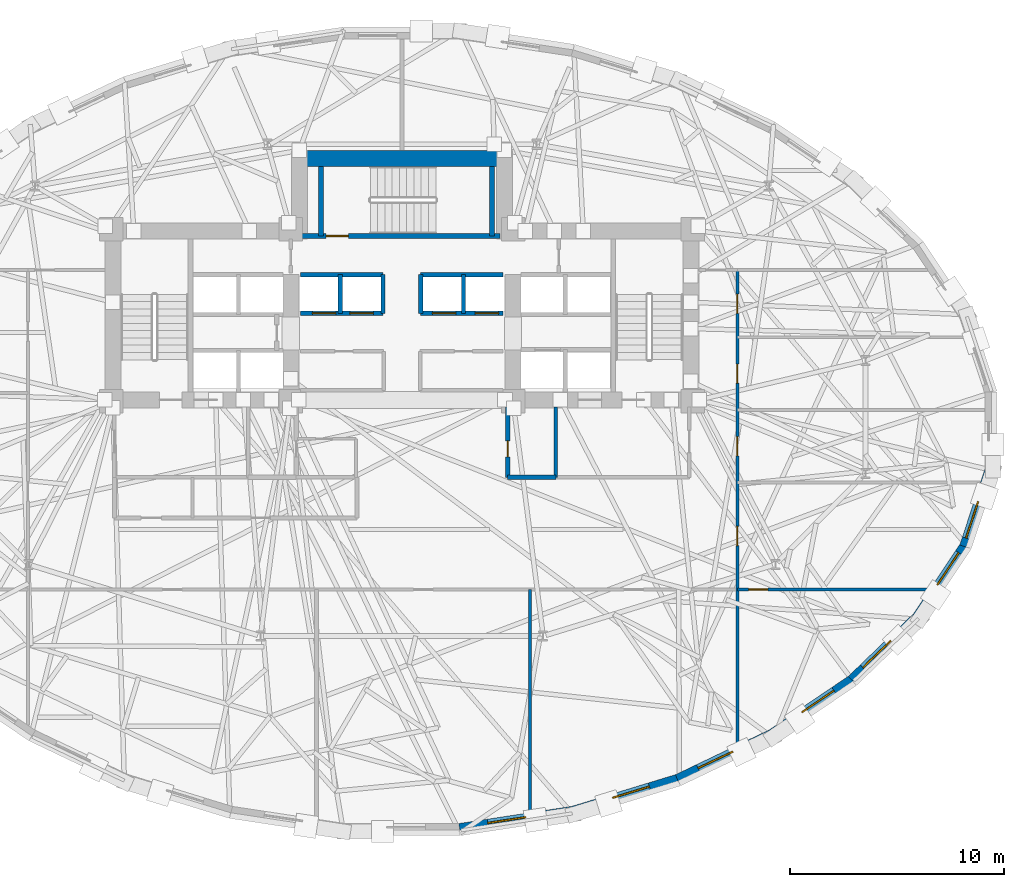
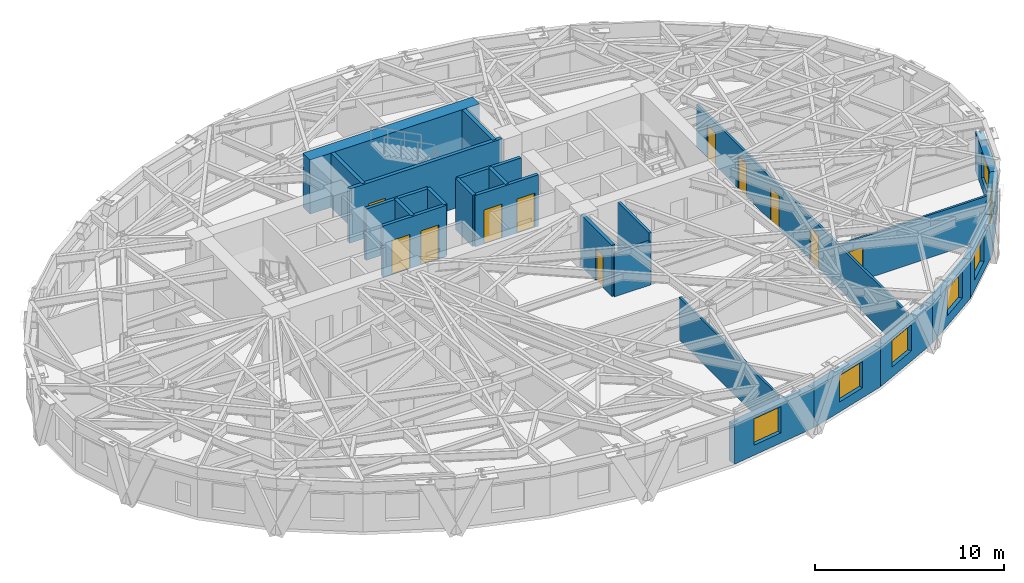
# One storey, part 8 of 14: 25 walls, 11 doors, 7 windows, 18 openings.
"""IFC4 building model written with IfcOpenShell, lengths in metres."""

import ifcopenshell
import ifcopenshell.guid

model = None  # the IFC model being written
_history = None  # IfcOwnerHistory: only IFC2X3 demands one
_inside = {}  # id of a spatial element -> (the spatial element, [elements in it])
_under = {}  # id of a project, library or spatial element -> (it, [spatial elements below it])
_declared = {}  # id of a project -> (the project, [libraries it declares])
_typed = {}  # id of a type object -> (the type object, [elements of that type])
_made_of = {}  # id of a material, layer set ... -> (it, [elements and type objects made of it])


def new_model(schema):
    """Start an empty IFC model of exactly this schema.

    Asked for "IFC4X3", IfcOpenShell would pick the latest addendum, in which some entities
    have other attributes; the version numbers below select the first issue.
    IFC2X3 requires an IfcOwnerHistory on every rooted entity: one is made here for all.
    """
    global model, _history
    if schema == "IFC4X3":
        model = ifcopenshell.file(schema_version=(4, 3, 0, 0))
    else:
        model = ifcopenshell.file(schema=schema)
    _inside.clear()
    _under.clear()
    _declared.clear()
    _typed.clear()
    _made_of.clear()
    _history = None
    if model.schema == "IFC2X3":
        org = make("IfcOrganization", Name="unknown")
        user = make(
            "IfcPersonAndOrganization",
            ThePerson=make("IfcPerson", FamilyName="unknown"),
            TheOrganization=org,
        )
        app = make(
            "IfcApplication",
            ApplicationDeveloper=org,
            Version="unknown",
            ApplicationFullName="unknown",
            ApplicationIdentifier="unknown",
        )
        _history = make(
            "IfcOwnerHistory",
            OwningUser=user,
            OwningApplication=app,
            ChangeAction="ADDED",
            CreationDate=0,
        )
    return model


def make(cls, **values):
    """One entity of the class cls with the attributes given. An attribute that is None is left unset."""
    return model.create_entity(
        cls, **{name: value for name, value in values.items() if value is not None}
    )


def rooted(cls, **values):
    """An entity with a GlobalId (a new one), such as an element, a storey or a relation."""
    return make(cls, GlobalId=ifcopenshell.guid.new(), OwnerHistory=_history, **values)


def si_unit(unit_type, name, prefix=None):
    """IfcSIUnit, for example si_unit("LENGTHUNIT", "METRE", prefix="MILLI")."""
    return make("IfcSIUnit", UnitType=unit_type, Prefix=prefix, Name=name)


def assignment(units):
    """IfcUnitAssignment: the units of a project."""
    return None if units is None else make("IfcUnitAssignment", Units=units)


def point(xyz):
    """IfcCartesianPoint."""
    return None if xyz is None else make("IfcCartesianPoint", Coordinates=xyz)


def direction(xyz):
    """IfcDirection."""
    return None if xyz is None else make("IfcDirection", DirectionRatios=xyz)


def frame(location, z_axis=None, x_axis=None):
    """IfcAxis2Placement3D, a coordinate frame: its origin and axes. An axis left out is left unset."""
    return make(
        "IfcAxis2Placement3D",
        Location=point(location),
        Axis=direction(z_axis),
        RefDirection=direction(x_axis),
    )


def frame_2d(location, x_axis=None):
    """IfcAxis2Placement2D, a coordinate frame in the plane: its origin and x axis."""
    return make(
        "IfcAxis2Placement2D", Location=point(location), RefDirection=direction(x_axis)
    )


def origin():
    """The frame at (0, 0, 0) with its axes left unset."""
    return frame((0.0, 0.0, 0.0))


def place(relative_to, where):
    """IfcLocalPlacement: puts the frame where relative to a parent placement (None: the world)."""
    return make(
        "IfcLocalPlacement", PlacementRelTo=relative_to, RelativePlacement=where
    )


def context(
    kind, dimensions, precision=None, world=None, true_north=None, identifier=None
):
    """IfcGeometricRepresentationContext, for example the 3D "Model" context."""
    return make(
        "IfcGeometricRepresentationContext",
        ContextIdentifier=identifier,
        ContextType=kind,
        CoordinateSpaceDimension=dimensions,
        Precision=precision,
        WorldCoordinateSystem=world,
        TrueNorth=true_north,
    )


def subcontext(parent, identifier, kind, view, scale=None):
    """IfcGeometricRepresentationSubContext, for example "Body" below "Model"."""
    return make(
        "IfcGeometricRepresentationSubContext",
        ContextIdentifier=identifier,
        ContextType=kind,
        ParentContext=parent,
        TargetScale=scale,
        TargetView=view,
    )


def project(units=None, contexts=None):
    """IfcProject with its units and contexts."""
    return rooted(
        "IfcProject",
        Name="project",
        RepresentationContexts=contexts,
        UnitsInContext=assignment(units),
    )


def spatial(cls, under=None, at=None, **own):
    """A site, building, storey or space (cls), placed at a placement, below another one or the project."""
    s = rooted(cls, ObjectPlacement=at, **own)
    if under is not None:
        _under.setdefault(under.id(), (under, []))[1].append(s)
    return s


def profile(cls, at=None, kind="AREA", **sizes):
    """A parametric profile (cls). Its sizes go by their IFC names, for example OverallWidth=200.0."""
    return make(cls, ProfileType=kind, Position=at, **sizes)


def rectangle(**sizes):
    """IfcRectangleProfileDef."""
    return profile("IfcRectangleProfileDef", **sizes)


def extrude(swept, where, along, depth):
    """IfcExtrudedAreaSolid: the profile swept, set in the frame where, extruded along a direction by depth."""
    return make(
        "IfcExtrudedAreaSolid",
        SweptArea=swept,
        Position=where,
        ExtrudedDirection=direction(along),
        Depth=depth,
    )


def shape(context_of_items, identifier, shape_type, items):
    """IfcShapeRepresentation: the items that make up one representation, for example the "Body"."""
    return make(
        "IfcShapeRepresentation",
        ContextOfItems=context_of_items,
        RepresentationIdentifier=identifier,
        RepresentationType=shape_type,
        Items=items,
    )


def material(Name=None, Category=None):
    """IfcMaterial."""
    return make("IfcMaterial", Name=Name, Category=Category)


def layer(
    of_material, thickness, ventilated=None, Name=None, Category=None, Priority=None
):
    """IfcMaterialLayer: one layer of a wall or slab, of a material (None: an air gap)."""
    return make(
        "IfcMaterialLayer",
        Material=of_material,
        LayerThickness=thickness,
        IsVentilated=ventilated,
        Name=Name,
        Category=Category,
        Priority=Priority,
    )


def layer_set(layers, Name=None):
    """IfcMaterialLayerSet."""
    return make("IfcMaterialLayerSet", MaterialLayers=layers, LayerSetName=Name)


def made_of(thing, what):
    """Note that an element or type object is made of a material, layer set ...; save() writes the relation."""
    if what is not None:
        _made_of.setdefault(what.id(), (what, []))[1].append(thing)
    return thing


def type_object(cls, material=None, **own):
    """A type object (cls), such as IfcWallType, which elements share."""
    return made_of(rooted(cls, **own), material)


def element(
    cls,
    number,
    at=None,
    inside=None,
    cuts=None,
    type_object=None,
    material=None,
    context=None,
    identifier="Body",
    shape_type=None,
    held_by="IfcProductDefinitionShape",
    body=None,
    shapes=None,
    **own,
):
    """One element of the class cls, such as IfcWall. Its Tag is "e" and its number.

    at: its placement. inside: the storey or other place that contains it. cuts: it is an
    opening in that element (IfcRelVoidsElement). A single representation is given by context,
    identifier, shape_type and body (its items); several are given by shapes. held_by: the class
    of the entity that holds the representations. save() writes the other relations.
    """
    e = rooted(cls, Tag="e%d" % number, ObjectPlacement=at, **own)
    if body is not None:
        shapes = [shape(context, identifier, shape_type, body)]
    if shapes is not None:
        e.Representation = make(held_by, Representations=shapes)
    if inside is not None:
        _inside.setdefault(inside.id(), (inside, []))[1].append(e)
    if cuts is not None:
        rooted(
            "IfcRelVoidsElement", RelatingBuildingElement=cuts, RelatedOpeningElement=e
        )
    if type_object is not None:
        _typed.setdefault(type_object.id(), (type_object, []))[1].append(e)
    return made_of(e, material)


def fill(opening, filler):
    """IfcRelFillsElement: the door or window that sits in an opening."""
    return rooted(
        "IfcRelFillsElement",
        RelatingOpeningElement=opening,
        RelatedBuildingElement=filler,
    )


def aggregate(whole, parts):
    """IfcRelAggregates: a whole, such as a stair, and the parts it consists of."""
    return rooted("IfcRelAggregates", RelatingObject=whole, RelatedObjects=parts)


def save(model, path):
    """Write the relations noted so far, then the file.

    IfcRelAggregates (storeys below a building ...), IfcRelContainedInSpatialStructure (elements
    in a storey), IfcRelDefinesByType, IfcRelAssociatesMaterial and IfcRelDeclares: one each for
    every whole, place, type object, material and project.
    """
    for whole, parts in _under.values():
        aggregate(whole, parts)
    for where, things in _inside.values():
        rooted(
            "IfcRelContainedInSpatialStructure",
            RelatedElements=things,
            RelatingStructure=where,
        )
    for kind, things in _typed.values():
        rooted("IfcRelDefinesByType", RelatedObjects=things, RelatingType=kind)
    for what, things in _made_of.values():
        rooted("IfcRelAssociatesMaterial", RelatedObjects=things, RelatingMaterial=what)
    for by, libraries in _declared.values():
        rooted("IfcRelDeclares", RelatingContext=by, RelatedDefinitions=libraries)
    model.write(path)


model = new_model("IFC4")

# Units and contexts
model_context = context("Model", 3, precision=1e-05, world=origin(), true_north=direction((0.0, 1.0)))
body_context = subcontext(model_context, "Body", "Model", "MODEL_VIEW")
ifc_project = project(units=[si_unit("LENGTHUNIT", "METRE"), si_unit("AREAUNIT", "SQUARE_METRE"), si_unit("VOLUMEUNIT", "CUBIC_METRE"), si_unit("PLANEANGLEUNIT", "RADIAN"), si_unit("MASSUNIT", "GRAM", prefix="KILO")], contexts=[model_context])

# Site, building, storey
site_placement = place(None, origin())
site = spatial("IfcSite", under=ifc_project, at=site_placement, CompositionType="ELEMENT")
building_placement = place(site_placement, origin())
building = spatial("IfcBuilding", under=site, at=building_placement, Name="Keldmark Tower", CompositionType="ELEMENT")
storey_placement = place(building_placement, frame((0.0, 0.0, 103.60009765625)))
storey = spatial("IfcBuildingStorey", under=building, at=storey_placement, Name="L27", CompositionType="ELEMENT", Elevation=103.60009765625)

# Wall, openings, doors
ifc_material_1 = material(Name="Acoustic Double-Layer Gypsum Corridor Partition", Category="gypsum")
ifc_layer_1 = layer(ifc_material_1, 0.139892578125)
ifc_layer_set_1 = layer_set([ifc_layer_1], Name="Acoustic Double-Layer Gypsum Corridor Partition")
wall_type_1 = type_object("IfcWallType", Name="Acoustic Corridor Partition 140 mm", PredefinedType="PARTITIONING", material=ifc_layer_set_1)
wall_1_placement = place(storey_placement, frame((15.699951171875, -14.6748046875, 0.0), z_axis=(0.0, 0.0, 1.0), x_axis=(0.0, 1.0, 0.0)))
wall_1 = element("IfcWall", 1, at=wall_1_placement, inside=storey, type_object=wall_type_1, Name="L27 Acoustic Corridor Partition 140 mm COR-E", PredefinedType="PARTITIONING", context=body_context, shape_type="SweptSolid", body=[
    extrude(rectangle(XDim=22.224853515625, YDim=0.139892578125, at=frame_2d((11.1123046875, 0.0))), origin(), (0.0, 0.0, 1.0), 2.762939453125),
])
opening_1_placement = place(wall_1_placement, frame((9.325439453125, 0.0, 0.0)))
opening_1 = element("IfcOpeningElement", 2, at=opening_1_placement, cuts=wall_1, Name="Opening D-IN090", PredefinedType="OPENING", context=body_context, shape_type="SweptSolid", body=[
    extrude(rectangle(XDim=0.89990234375, YDim=2.10009765625, at=frame_2d((0.449951171875, 1.050048828125))), frame((0.0, 0.079833984375, 0.0), z_axis=(0.0, -1.0, 0.0), x_axis=(1.0, 0.0, 0.0)), (0.0, 0.0, 1.0), 0.159912109375),
])
opening_2_placement = place(wall_1_placement, frame((13.525390625, 0.0, 0.0)))
opening_2 = element("IfcOpeningElement", 3, at=opening_2_placement, cuts=wall_1, Name="Opening D-IN090", PredefinedType="OPENING", context=body_context, shape_type="SweptSolid", body=[
    extrude(rectangle(XDim=0.89990234375, YDim=2.10009765625, at=frame_2d((0.449951171875, 1.050048828125))), frame((0.0, 0.079833984375, 0.0), z_axis=(0.0, -1.0, 0.0), x_axis=(1.0, 0.0, 0.0)), (0.0, 0.0, 1.0), 0.159912109375),
])
opening_3_placement = place(wall_1_placement, frame((16.92529296875, 0.0, 0.0)))
opening_3 = element("IfcOpeningElement", 4, at=opening_3_placement, cuts=wall_1, Name="Opening D-IN090", PredefinedType="OPENING", context=body_context, shape_type="SweptSolid", body=[
    extrude(rectangle(XDim=0.89990234375, YDim=2.10009765625, at=frame_2d((0.449951171875, 1.050048828125))), frame((0.0, 0.079833984375, 0.0), z_axis=(0.0, -1.0, 0.0), x_axis=(1.0, 0.0, 0.0)), (0.0, 0.0, 1.0), 0.159912109375),
])
opening_4_placement = place(wall_1_placement, frame((20.200439453125, 0.0, 0.0)))
opening_4 = element("IfcOpeningElement", 5, at=opening_4_placement, cuts=wall_1, Name="Opening D-IN090", PredefinedType="OPENING", context=body_context, shape_type="SweptSolid", body=[
    extrude(rectangle(XDim=0.89990234375, YDim=2.10009765625, at=frame_2d((0.449951171875, 1.050048828125))), frame((0.0, 0.079833984375, 0.0), z_axis=(0.0, -1.0, 0.0), x_axis=(1.0, 0.0, 0.0)), (0.0, 0.0, 1.0), 0.159912109375),
])
ifc_material_2 = material(Name="Stained American White Oak Veneer", Category="wood")
door_type_1 = type_object("IfcDoorType", Name="Interior Door 900x2100", OperationType="NOTDEFINED", PredefinedType="DOOR", material=ifc_material_2)
door_1_placement = place(opening_1_placement, origin())
door_1 = element("IfcDoor", 6, at=door_1_placement, inside=storey, type_object=door_type_1, Name="L27 Interior Door 900x2100 D-ER-1-L27", OperationType="SINGLE_SWING_RIGHT", OverallHeight=2.10009765625, OverallWidth=0.89990234375, PredefinedType="DOOR", context=body_context, shape_type="SweptSolid", body=[
    extrude(rectangle(XDim=0.89990234375, YDim=2.10009765625, at=frame_2d((0.449951171875, 1.050048828125))), frame((0.0, 0.02490234375, 0.0), z_axis=(0.0, -1.0, 0.0), x_axis=(1.0, 0.0, 0.0)), (0.0, 0.0, 1.0), 0.050048828125),
])
fill(opening_1, door_1)
door_2_placement = place(opening_2_placement, origin())
door_2 = element("IfcDoor", 7, at=door_2_placement, inside=storey, type_object=door_type_1, Name="L27 Interior Door 900x2100 D-ER-2-L27", OperationType="SINGLE_SWING_LEFT", OverallHeight=2.10009765625, OverallWidth=0.89990234375, PredefinedType="DOOR", context=body_context, shape_type="SweptSolid", body=[
    extrude(rectangle(XDim=0.89990234375, YDim=2.10009765625, at=frame_2d((0.449951171875, 1.050048828125))), frame((0.0, 0.02490234375, 0.0), z_axis=(0.0, -1.0, 0.0), x_axis=(1.0, 0.0, 0.0)), (0.0, 0.0, 1.0), 0.050048828125),
])
fill(opening_2, door_2)
door_3_placement = place(opening_3_placement, origin())
door_3 = element("IfcDoor", 8, at=door_3_placement, inside=storey, type_object=door_type_1, Name="L27 Interior Door 900x2100 D-ER-3-L27", OperationType="SINGLE_SWING_RIGHT", OverallHeight=2.10009765625, OverallWidth=0.89990234375, PredefinedType="DOOR", context=body_context, shape_type="SweptSolid", body=[
    extrude(rectangle(XDim=0.89990234375, YDim=2.10009765625, at=frame_2d((0.449951171875, 1.050048828125))), frame((0.0, 0.02490234375, 0.0), z_axis=(0.0, -1.0, 0.0), x_axis=(1.0, 0.0, 0.0)), (0.0, 0.0, 1.0), 0.050048828125),
])
fill(opening_3, door_3)
door_4_placement = place(opening_4_placement, origin())
door_4 = element("IfcDoor", 9, at=door_4_placement, inside=storey, type_object=door_type_1, Name="L27 Interior Door 900x2100 D-ER-4-L27", OperationType="SINGLE_SWING_LEFT", OverallHeight=2.10009765625, OverallWidth=0.89990234375, PredefinedType="DOOR", context=body_context, shape_type="SweptSolid", body=[
    extrude(rectangle(XDim=0.89990234375, YDim=2.10009765625, at=frame_2d((0.449951171875, 1.050048828125))), frame((0.0, 0.02490234375, 0.0), z_axis=(0.0, -1.0, 0.0), x_axis=(1.0, 0.0, 0.0)), (0.0, 0.0, 1.0), 0.050048828125),
])
fill(opening_4, door_4)

# Wall
ifc_material_3 = material(Name="Acoustic Gypsum Board Interior Partition", Category="gypsum")
ifc_layer_2 = layer(ifc_material_3, 0.1298828125)
ifc_layer_set_2 = layer_set([ifc_layer_2], Name="Acoustic Gypsum Board Interior Partition")
wall_type_2 = type_object("IfcWallType", Name="Interior Partition 130 mm", PredefinedType="PARTITIONING", material=ifc_layer_set_2)
wall_2_placement = place(storey_placement, frame((6.0, -17.837646484375, 0.0), z_axis=(0.0, 0.0, 1.0), x_axis=(0.0, 1.0, 0.0)))
element("IfcWall", 10, at=wall_2_placement, inside=storey, type_object=wall_type_2, Name="L27 Interior Partition 130 mm S-DIV-2", PredefinedType="PARTITIONING", context=body_context, shape_type="SweptSolid", body=[
    extrude(rectangle(XDim=10.437744140625, YDim=0.1298828125, at=frame_2d((5.21875, 0.0))), origin(), (0.0, 0.0, 1.0), 2.762939453125),
])

# Wall, opening, door
wall_3_placement = place(storey_placement, frame((15.699951171875, -7.39990234375, 0.0), z_axis=(0.0, 0.0, 1.0), x_axis=(1.0, 0.0, 0.0)))
wall_3 = element("IfcWall", 11, at=wall_3_placement, inside=storey, type_object=wall_type_2, Name="L27 Interior Partition 130 mm E-CAP-S", PredefinedType="PARTITIONING", context=body_context, shape_type="SweptSolid", body=[
    extrude(rectangle(XDim=8.98876953125, YDim=0.1298828125, at=frame_2d((4.494384765625, 0.0))), origin(), (0.0, 0.0, 1.0), 2.762939453125),
])
opening_5_placement = place(wall_3_placement, frame((0.530029296875, 0.0, 0.0)))
opening_5 = element("IfcOpeningElement", 12, at=opening_5_placement, cuts=wall_3, Name="Opening D-IN090", PredefinedType="OPENING", context=body_context, shape_type="SweptSolid", body=[
    extrude(rectangle(XDim=0.89990234375, YDim=2.10009765625, at=frame_2d((0.449951171875, 1.050048828125))), frame((0.0, 0.074951171875, 0.0), z_axis=(0.0, -1.0, 0.0), x_axis=(1.0, 0.0, 0.0)), (0.0, 0.0, 1.0), 0.14990234375),
])
door_5_placement = place(opening_5_placement, origin())
door_5 = element("IfcDoor", 13, at=door_5_placement, inside=storey, type_object=door_type_1, Name="L27 Interior Door 900x2100 D-ERSE-L27", OperationType="SINGLE_SWING_LEFT", OverallHeight=2.10009765625, OverallWidth=0.89990234375, PredefinedType="DOOR", context=body_context, shape_type="SweptSolid", body=[
    extrude(rectangle(XDim=0.89990234375, YDim=2.10009765625, at=frame_2d((0.449951171875, 1.050048828125))), frame((0.0, 0.02490234375, 0.0), z_axis=(0.0, -1.0, 0.0), x_axis=(1.0, 0.0, 0.0)), (0.0, 0.0, 1.0), 0.050048828125),
])
fill(opening_5, door_5)

# Walls
ifc_material_4 = material(Name="Concrete C70/85", Category="concrete")
ifc_layer_3 = layer(ifc_material_4, 0.75)
ifc_layer_set_3 = layer_set([ifc_layer_3], Name="Concrete C70/85")
wall_type_3 = type_object("IfcWallType", Name="Low-Mid Core Shear Wall 750 mm", PredefinedType="SHEAR", material=ifc_layer_set_3)
wall_4_placement = place(storey_placement, frame((-5.175048828125, 12.77490234375, 0.0), z_axis=(0.0, 0.0, 1.0), x_axis=(1.0, 0.0, 0.0)))
element("IfcWall", 14, at=wall_4_placement, inside=storey, type_object=wall_type_3, Name="L27 North Core Shear Wall", PredefinedType="SHEAR", context=body_context, shape_type="SweptSolid", body=[
    extrude(rectangle(XDim=10.35009765625, YDim=0.75, at=frame_2d((5.175048828125, 0.0))), origin(), (0.0, 0.0, 1.0), 3.5),
])
ifc_material_5 = material(Name="Type X Fire-Rated Gypsum Partition Assembly", Category="gypsum")
ifc_layer_4 = layer(ifc_material_5, 0.1650390625)
ifc_layer_set_4 = layer_set([ifc_layer_4], Name="Type X Fire-Rated Gypsum Partition Assembly")
wall_type_4 = type_object("IfcWallType", Name="Rated Partition 165 mm", PredefinedType="PARTITIONING", material=ifc_layer_set_4)
wall_5_placement = place(storey_placement, frame((7.199951171875, -2.14990234375, 0.0), z_axis=(0.0, 0.0, 1.0), x_axis=(0.0, 1.0, 0.0)))
element("IfcWall", 15, at=wall_5_placement, inside=storey, type_object=wall_type_4, Name="L27 Rated Partition 165 mm FSAE-E-W", PredefinedType="PARTITIONING", context=body_context, shape_type="SweptSolid", body=[
    extrude(rectangle(XDim=3.2998046875, YDim=0.1650390625, at=frame_2d((1.64990234375, 0.0))), origin(), (0.0, 0.0, 1.0), 3.309814453125),
])
ifc_material_6 = material(Name="Fire-Resistant Type X Gypsum Shaftliner Coreboard", Category="gypsum")
ifc_layer_5 = layer(ifc_material_6, 0.199951171875)
ifc_layer_set_5 = layer_set([ifc_layer_5], Name="Fire-Resistant Type X Gypsum Shaftliner Coreboard")
wall_type_5 = type_object("IfcWallType", Name="Shaft Wall 200 mm", PredefinedType="SOLIDWALL", material=ifc_layer_set_5)
wall_6_placement = place(storey_placement, frame((4.949951171875, -2.14990234375, 0.0), z_axis=(0.0, 0.0, 1.0), x_axis=(1.0, 0.0, 0.0)))
element("IfcWall", 16, at=wall_6_placement, inside=storey, type_object=wall_type_5, Name="L27 Shaft Wall 200 mm RIS-SE-S", PredefinedType="SOLIDWALL", context=body_context, shape_type="SweptSolid", body=[
    extrude(rectangle(XDim=2.25, YDim=0.199951171875, at=frame_2d((1.125, 0.0))), origin(), (0.0, 0.0, 1.0), 2.762939453125),
])

# Wall, opening, door
wall_7_placement = place(storey_placement, frame((4.949951171875, -2.14990234375, 0.0), z_axis=(0.0, 0.0, 1.0), x_axis=(0.0, 1.0, 0.0)))
wall_7 = element("IfcWall", 17, at=wall_7_placement, inside=storey, type_object=wall_type_5, Name="L27 Shaft Wall 200 mm RIS-SE-W", PredefinedType="SOLIDWALL", context=body_context, shape_type="SweptSolid", body=[
    extrude(rectangle(XDim=3.2998046875, YDim=0.199951171875, at=frame_2d((1.64990234375, 0.0))), origin(), (0.0, 0.0, 1.0), 3.309814453125),
])
opening_6_placement = place(wall_7_placement, frame((0.949951171875, 0.0, 0.0)))
opening_6 = element("IfcOpeningElement", 18, at=opening_6_placement, cuts=wall_7, Name="Opening D-RS075", PredefinedType="OPENING", context=body_context, shape_type="SweptSolid", body=[
    extrude(rectangle(XDim=0.75, YDim=2.10009765625, at=frame_2d((0.375, 1.050048828125))), frame((0.0, 0.10986328125, 0.0), z_axis=(0.0, -1.0, 0.0), x_axis=(1.0, 0.0, 0.0)), (0.0, 0.0, 1.0), 0.219970703125),
])
ifc_material_7 = material(Name="Galvanized Fire-Rated Access Leaf", Category="metal")
door_type_2 = type_object("IfcDoorType", Name="Riser Access Door 750x2100", OperationType="NOTDEFINED", PredefinedType="DOOR", material=ifc_material_7)
door_6_placement = place(opening_6_placement, origin())
door_6 = element("IfcDoor", 19, at=door_6_placement, inside=storey, type_object=door_type_2, Name="L27 Riser Access Door 750x2100 D-RISSE-L27", OperationType="SINGLE_SWING_LEFT", OverallHeight=2.10009765625, OverallWidth=0.75, PredefinedType="DOOR", context=body_context, shape_type="SweptSolid", body=[
    extrude(rectangle(XDim=0.75, YDim=2.10009765625, at=frame_2d((0.375, 1.050048828125))), frame((0.0, 0.02490234375, 0.0), z_axis=(0.0, -1.0, 0.0), x_axis=(1.0, 0.0, 0.0)), (0.0, 0.0, 1.0), 0.050048828125),
])
fill(opening_6, door_6)

# Wall, openings, doors
wall_8_placement = place(storey_placement, frame((-4.739990234375, 5.52001953125, 0.0), z_axis=(0.0, 0.0, 1.0), x_axis=(1.0, 0.0, 0.0)))
wall_8 = element("IfcWall", 20, at=wall_8_placement, inside=storey, type_object=wall_type_5, Name="L27 Shaft Wall 200 mm MID-S-W", PredefinedType="SOLIDWALL", context=body_context, shape_type="SweptSolid", body=[
    extrude(rectangle(XDim=3.860107421875, YDim=0.199951171875, at=frame_2d((1.93017578125, 0.0))), origin(), (0.0, 0.0, 1.0), 3.309814453125),
])
opening_7_placement = place(wall_8_placement, frame((0.550048828125, 0.0, 0.0)))
opening_7 = element("IfcOpeningElement", 21, at=opening_7_placement, cuts=wall_8, Name="Opening LD-110", PredefinedType="OPENING", context=body_context, shape_type="SweptSolid", body=[
    extrude(rectangle(XDim=1.10009765625, YDim=2.199951171875, at=frame_2d((0.550048828125, 1.10009765625))), frame((0.0, 0.10986328125, 0.0), z_axis=(0.0, -1.0, 0.0), x_axis=(1.0, 0.0, 0.0)), (0.0, 0.0, 1.0), 0.219970703125),
])
opening_8_placement = place(wall_8_placement, frame((2.300048828125, 0.0, 0.0)))
opening_8 = element("IfcOpeningElement", 22, at=opening_8_placement, cuts=wall_8, Name="Opening LD-110", PredefinedType="OPENING", context=body_context, shape_type="SweptSolid", body=[
    extrude(rectangle(XDim=1.10009765625, YDim=2.199951171875, at=frame_2d((0.550048828125, 1.10009765625))), frame((0.0, 0.10986328125, 0.0), z_axis=(0.0, -1.0, 0.0), x_axis=(1.0, 0.0, 0.0)), (0.0, 0.0, 1.0), 0.219970703125),
])
ifc_material_8 = material(Name="Brushed Bronze Hoistway Sliding Leaf", Category="metal")
door_type_3 = type_object("IfcDoorType", Name="Lift Landing Sliding Door 1100x2200", OperationType="SLIDING_TO_LEFT", PredefinedType="DOOR", material=ifc_material_8)
door_7_placement = place(opening_7_placement, origin())
door_7 = element("IfcDoor", 23, at=door_7_placement, inside=storey, type_object=door_type_3, Name="L27 Lift Landing Sliding Door 1100x2200 LD-EL-M1-L27", OperationType="SLIDING_TO_LEFT", OverallHeight=2.199951171875, OverallWidth=1.10009765625, PredefinedType="DOOR", context=body_context, shape_type="SweptSolid", body=[
    extrude(rectangle(XDim=1.10009765625, YDim=2.199951171875, at=frame_2d((0.550048828125, 1.10009765625))), frame((0.0, 0.02490234375, 0.0), z_axis=(0.0, -1.0, 0.0), x_axis=(1.0, 0.0, 0.0)), (0.0, 0.0, 1.0), 0.050048828125),
])
fill(opening_7, door_7)
door_8_placement = place(opening_8_placement, origin())
door_8 = element("IfcDoor", 24, at=door_8_placement, inside=storey, type_object=door_type_3, Name="L27 Lift Landing Sliding Door 1100x2200 LD-EL-M2-L27", OperationType="SLIDING_TO_LEFT", OverallHeight=2.199951171875, OverallWidth=1.10009765625, PredefinedType="DOOR", context=body_context, shape_type="SweptSolid", body=[
    extrude(rectangle(XDim=1.10009765625, YDim=2.199951171875, at=frame_2d((0.550048828125, 1.10009765625))), frame((0.0, 0.02490234375, 0.0), z_axis=(0.0, -1.0, 0.0), x_axis=(1.0, 0.0, 0.0)), (0.0, 0.0, 1.0), 0.050048828125),
])
fill(opening_8, door_8)

wall_9_placement = place(storey_placement, frame((0.8798828125, 5.52001953125, 0.0), z_axis=(0.0, 0.0, 1.0), x_axis=(1.0, 0.0, 0.0)))
wall_9 = element("IfcWall", 25, at=wall_9_placement, inside=storey, type_object=wall_type_5, Name="L27 Shaft Wall 200 mm MID-S-E", PredefinedType="SOLIDWALL", context=body_context, shape_type="SweptSolid", body=[
    extrude(rectangle(XDim=3.860107421875, YDim=0.199951171875, at=frame_2d((1.93017578125, 0.0))), origin(), (0.0, 0.0, 1.0), 3.309814453125),
])
opening_9_placement = place(wall_9_placement, frame((0.550048828125, 0.0, 0.0)))
opening_9 = element("IfcOpeningElement", 26, at=opening_9_placement, cuts=wall_9, Name="Opening LD-110", PredefinedType="OPENING", context=body_context, shape_type="SweptSolid", body=[
    extrude(rectangle(XDim=1.10009765625, YDim=2.199951171875, at=frame_2d((0.550048828125, 1.10009765625))), frame((0.0, 0.10986328125, 0.0), z_axis=(0.0, -1.0, 0.0), x_axis=(1.0, 0.0, 0.0)), (0.0, 0.0, 1.0), 0.219970703125),
])
opening_10_placement = place(wall_9_placement, frame((2.550048828125, 0.0, 0.0)))
opening_10 = element("IfcOpeningElement", 27, at=opening_10_placement, cuts=wall_9, Name="Opening LD-110", PredefinedType="OPENING", context=body_context, shape_type="SweptSolid", body=[
    extrude(rectangle(XDim=1.10009765625, YDim=2.199951171875, at=frame_2d((0.550048828125, 1.10009765625))), frame((0.0, 0.10986328125, 0.0), z_axis=(0.0, -1.0, 0.0), x_axis=(1.0, 0.0, 0.0)), (0.0, 0.0, 1.0), 0.219970703125),
])
door_9_placement = place(opening_9_placement, origin())
door_9 = element("IfcDoor", 28, at=door_9_placement, inside=storey, type_object=door_type_3, Name="L27 Lift Landing Sliding Door 1100x2200 LD-EL-M3-L27", OperationType="SLIDING_TO_LEFT", OverallHeight=2.199951171875, OverallWidth=1.10009765625, PredefinedType="DOOR", context=body_context, shape_type="SweptSolid", body=[
    extrude(rectangle(XDim=1.10009765625, YDim=2.199951171875, at=frame_2d((0.550048828125, 1.10009765625))), frame((0.0, 0.02490234375, 0.0), z_axis=(0.0, -1.0, 0.0), x_axis=(1.0, 0.0, 0.0)), (0.0, 0.0, 1.0), 0.050048828125),
])
fill(opening_9, door_9)
door_10_placement = place(opening_10_placement, origin())
door_10 = element("IfcDoor", 29, at=door_10_placement, inside=storey, type_object=door_type_3, Name="L27 Lift Landing Sliding Door 1100x2200 LD-EL-M4-L27", OperationType="SLIDING_TO_LEFT", OverallHeight=2.199951171875, OverallWidth=1.10009765625, PredefinedType="DOOR", context=body_context, shape_type="SweptSolid", body=[
    extrude(rectangle(XDim=1.10009765625, YDim=2.199951171875, at=frame_2d((0.550048828125, 1.10009765625))), frame((0.0, 0.02490234375, 0.0), z_axis=(0.0, -1.0, 0.0), x_axis=(1.0, 0.0, 0.0)), (0.0, 0.0, 1.0), 0.050048828125),
])
fill(opening_10, door_10)

# Walls
for number, where, z_axis, x_axis, name in (
    (30, (-4.739990234375, 7.330078125, 0.0), (0.0, 0.0, 1.0), (1.0, 0.0, 0.0), "L27 Shaft Wall 200 mm MID-N-W"),
    (31, (0.8798828125, 7.330078125, 0.0), (0.0, 0.0, 1.0), (1.0, 0.0, 0.0), "L27 Shaft Wall 200 mm MID-N-E"),
):
    element("IfcWall", number, at=place(storey_placement, frame(where, z_axis=z_axis, x_axis=x_axis)), inside=storey, type_object=wall_type_5, Name=name, PredefinedType="SOLIDWALL", context=body_context, shape_type="SweptSolid", body=[
        extrude(rectangle(XDim=3.860107421875, YDim=0.199951171875, at=frame_2d((1.93017578125, 0.0))), origin(), (0.0, 0.0, 1.0), 3.309814453125),
    ])
for number, where, z_axis, x_axis, name in (
    (32, (-2.8798828125, 5.52001953125, 0.0), (0.0, 0.0, 1.0), (0.0, 1.0, 0.0), "L27 Shaft Wall 200 mm MID-M-W"),
    (33, (2.8798828125, 5.52001953125, 0.0), (0.0, 0.0, 1.0), (0.0, 1.0, 0.0), "L27 Shaft Wall 200 mm MID-M-E"),
    (34, (-0.8798828125, 5.52001953125, 0.0), (0.0, 0.0, 1.0), (0.0, 1.0, 0.0), "L27 Shaft Wall 200 mm MID-C-W"),
    (35, (0.8798828125, 5.52001953125, 0.0), (0.0, 0.0, 1.0), (0.0, 1.0, 0.0), "L27 Shaft Wall 200 mm MID-C-E"),
):
    element("IfcWall", number, at=place(storey_placement, frame(where, z_axis=z_axis, x_axis=x_axis)), inside=storey, type_object=wall_type_5, Name=name, PredefinedType="SOLIDWALL", context=body_context, shape_type="SweptSolid", body=[
        extrude(rectangle(XDim=1.81005859375, YDim=0.199951171875, at=frame_2d((0.905029296875, 0.0))), origin(), (0.0, 0.0, 1.0), 3.309814453125),
    ])

# Wall, opening, door
ifc_material_9 = material(Name="Concrete C50/60", Category="concrete")
ifc_layer_6 = layer(ifc_material_9, 0.219970703125)
ifc_layer_set_6 = layer_set([ifc_layer_6], Name="Concrete C50/60")
wall_type_6 = type_object("IfcWallType", Name="Stair Core Shear Wall 220 mm", PredefinedType="SHEAR", material=ifc_layer_set_6)
wall_10_placement = place(storey_placement, frame((-4.699951171875, 9.139892578125, 0.0), z_axis=(0.0, 0.0, 1.0), x_axis=(1.0, 0.0, 0.0)))
wall_10 = element("IfcWall", 36, at=wall_10_placement, inside=storey, type_object=wall_type_6, Name="L27 Central Stair Core South Shear Wall", PredefinedType="SHEAR", context=body_context, shape_type="SweptSolid", body=[
    extrude(rectangle(XDim=9.300048828125, YDim=0.219970703125, at=frame_2d((4.64990234375, 0.0))), origin(), (0.0, 0.0, 1.0), 3.5),
])
opening_11_placement = place(wall_10_placement, frame((1.14990234375, 0.0, 0.0)))
opening_11 = element("IfcOpeningElement", 37, at=opening_11_placement, cuts=wall_10, Name="Opening D-ST105", PredefinedType="OPENING", context=body_context, shape_type="SweptSolid", body=[
    extrude(rectangle(XDim=1.050048828125, YDim=2.14990234375, at=frame_2d((0.52490234375, 1.074951171875))), frame((0.0, 0.119873046875, 0.0), z_axis=(0.0, -1.0, 0.0), x_axis=(1.0, 0.0, 0.0)), (0.0, 0.0, 1.0), 0.239990234375),
])
ifc_material_10 = material(Name="Hollow Metal Fire-Rated Door Assembly", Category="metal")
door_type_4 = type_object("IfcDoorType", Name="Stair Fire Door 1050x2150", OperationType="NOTDEFINED", PredefinedType="DOOR", material=ifc_material_10)
door_11_placement = place(opening_11_placement, origin())
door_11 = element("IfcDoor", 38, at=door_11_placement, inside=storey, type_object=door_type_4, Name="L27 Stair Fire Door 1050x2150 D-ST3-L27", OperationType="SINGLE_SWING_RIGHT", OverallHeight=2.14990234375, OverallWidth=1.050048828125, PredefinedType="DOOR", context=body_context, shape_type="SweptSolid", body=[
    extrude(rectangle(XDim=1.050048828125, YDim=2.14990234375, at=frame_2d((0.52490234375, 1.074951171875))), frame((0.0, 0.02490234375, 0.0), z_axis=(0.0, -1.0, 0.0), x_axis=(1.0, 0.0, 0.0)), (0.0, 0.0, 1.0), 0.050048828125),
])
fill(opening_11, door_11)

# Walls
for number, where, z_axis, x_axis, name in (
    (39, (-3.784912109375, 9.139892578125, 0.0), (0.0, 0.0, 1.0), (0.0, 1.0, 0.0), "L27 Central Stair Core West Shear Wall"),
    (40, (4.215087890625, 9.139892578125, 0.0), (0.0, 0.0, 1.0), (0.0, 1.0, 0.0), "L27 Central Stair Core East Shear Wall"),
):
    element("IfcWall", number, at=place(storey_placement, frame(where, z_axis=z_axis, x_axis=x_axis)), inside=storey, type_object=wall_type_6, Name=name, PredefinedType="SHEAR", context=body_context, shape_type="SweptSolid", body=[
        extrude(rectangle(XDim=3.260009765625, YDim=0.219970703125, at=frame_2d((1.6298828125, 0.0))), origin(), (0.0, 0.0, 1.0), 3.5),
    ])

# Wall, opening, window
ifc_material_11 = material(Name="Ironspot Manganese Brick and Kasota Buff Limestone Spandrel Assembly", Category="masonry")
ifc_layer_7 = layer(ifc_material_11, 0.43994140625)
ifc_layer_set_7 = layer_set([ifc_layer_7], Name="Ironspot Manganese Brick and Kasota Buff Limestone Spandrel Assembly")
wall_type_7 = type_object("IfcWallType", Name="Tower Brick Pier and Spandrel Wall 440 mm", PredefinedType="STANDARD", material=ifc_layer_set_7)
wall_11_placement = place(storey_placement, frame((8.012451171875, -17.76220703125, 0.0), z_axis=(0.0, 0.0, 1.0), x_axis=(-0.988627497469, -0.150385076545, 0.0)))
wall_11 = element("IfcWall", 41, at=wall_11_placement, inside=storey, type_object=wall_type_7, Name="L27 Exterior Brick and Spandrel Wall 25", PredefinedType="STANDARD", context=body_context, shape_type="SweptSolid", body=[
    extrude(rectangle(XDim=5.376708984375, YDim=0.43994140625, at=frame_2d((2.6884765625, 0.0))), origin(), (0.0, 0.0, 1.0), 2.52783203125),
])
opening_12_placement = place(wall_11_placement, frame((2.2353515625, 0.0, 0.64990234375)))
opening_12 = element("IfcOpeningElement", 42, at=opening_12_placement, cuts=wall_11, Name="Opening W-02", PredefinedType="OPENING", context=body_context, shape_type="SweptSolid", body=[
    extrude(rectangle(XDim=1.800048828125, YDim=1.699951171875, at=frame_2d((0.89990234375, 0.85009765625))), frame((0.0, 0.22998046875, 0.0), z_axis=(0.0, -1.0, 0.0), x_axis=(1.0, 0.0, 0.0)), (0.0, 0.0, 1.0), 0.4599609375),
])
ifc_material_12 = material(Name="Thermally Broken Anodized Aluminum and Triple Low-E Argon Glazing", Category="aluminium")
window_type = type_object("IfcWindowType", Name="Office Deep-Set Triple Window 1800x1700", PartitioningType="TRIPLE_PANEL_VERTICAL", PredefinedType="WINDOW", material=ifc_material_12)
window_1_placement = place(opening_12_placement, origin())
window_1 = element("IfcWindow", 43, at=window_1_placement, inside=storey, type_object=window_type, Name="L27 Deep-Set Window 25", OverallHeight=1.699951171875, OverallWidth=1.800048828125, PartitioningType="SINGLE_PANEL", PredefinedType="WINDOW", context=body_context, shape_type="SweptSolid", body=[
    extrude(rectangle(XDim=1.800048828125, YDim=1.699951171875, at=frame_2d((0.89990234375, 0.85009765625))), frame((0.0, -0.010009765625, 0.0), z_axis=(0.0, -1.0, 0.0), x_axis=(1.0, 0.0, 0.0)), (0.0, 0.0, 1.0), 0.06005859375),
])
fill(opening_12, window_1)

wall_12_placement = place(storey_placement, frame((12.92041015625, -16.2578125, 0.0), z_axis=(0.0, 0.0, 1.0), x_axis=(-0.956228569431, -0.292620783617, 0.0)))
wall_12 = element("IfcWall", 44, at=wall_12_placement, inside=storey, type_object=wall_type_7, Name="L27 Exterior Brick and Spandrel Wall 26", PredefinedType="STANDARD", context=body_context, shape_type="SweptSolid", body=[
    extrude(rectangle(XDim=5.165283203125, YDim=0.43994140625, at=frame_2d((2.58251953125, 0.0))), origin(), (0.0, 0.0, 1.0), 2.52783203125),
])
opening_13_placement = place(wall_12_placement, frame((1.385986328125, 0.0, 0.64990234375)))
opening_13 = element("IfcOpeningElement", 45, at=opening_13_placement, cuts=wall_12, Name="Opening W-02", PredefinedType="OPENING", context=body_context, shape_type="SweptSolid", body=[
    extrude(rectangle(XDim=1.800048828125, YDim=1.699951171875, at=frame_2d((0.89990234375, 0.85009765625))), frame((0.0, 0.22998046875, 0.0), z_axis=(0.0, -1.0, 0.0), x_axis=(1.0, 0.0, 0.0)), (0.0, 0.0, 1.0), 0.4599609375),
])
window_2_placement = place(opening_13_placement, origin())
window_2 = element("IfcWindow", 46, at=window_2_placement, inside=storey, type_object=window_type, Name="L27 Deep-Set Window 26", OverallHeight=1.699951171875, OverallWidth=1.800048828125, PartitioningType="SINGLE_PANEL", PredefinedType="WINDOW", context=body_context, shape_type="SweptSolid", body=[
    extrude(rectangle(XDim=1.800048828125, YDim=1.699951171875, at=frame_2d((0.89990234375, 0.85009765625))), frame((0.0, -0.010009765625, 0.0), z_axis=(0.0, -1.0, 0.0), x_axis=(1.0, 0.0, 0.0)), (0.0, 0.0, 1.0), 0.06005859375),
])
fill(opening_13, window_2)

wall_13_placement = place(storey_placement, frame((17.294921875, -14.165771484375, 0.0), z_axis=(0.0, 0.0, 1.0), x_axis=(-0.902372757907, -0.430956385018, 0.0)))
wall_13 = element("IfcWall", 47, at=wall_13_placement, inside=storey, type_object=wall_type_7, Name="L27 Exterior Brick and Spandrel Wall 27", PredefinedType="STANDARD", context=body_context, shape_type="SweptSolid", body=[
    extrude(rectangle(XDim=4.881591796875, YDim=0.43994140625, at=frame_2d((2.44091796875, 0.0))), origin(), (0.0, 0.0, 1.0), 2.52783203125),
])
opening_14_placement = place(wall_13_placement, frame((1.98779296875, 0.0, 0.64990234375)))
opening_14 = element("IfcOpeningElement", 48, at=opening_14_placement, cuts=wall_13, Name="Opening W-02", PredefinedType="OPENING", context=body_context, shape_type="SweptSolid", body=[
    extrude(rectangle(XDim=1.800048828125, YDim=1.699951171875, at=frame_2d((0.89990234375, 0.85009765625))), frame((0.0, 0.22998046875, 0.0), z_axis=(0.0, -1.0, 0.0), x_axis=(1.0, 0.0, 0.0)), (0.0, 0.0, 1.0), 0.4599609375),
])
window_3_placement = place(opening_14_placement, origin())
window_3 = element("IfcWindow", 49, at=window_3_placement, inside=storey, type_object=window_type, Name="L27 Deep-Set Window 27", OverallHeight=1.699951171875, OverallWidth=1.800048828125, PartitioningType="SINGLE_PANEL", PredefinedType="WINDOW", context=body_context, shape_type="SweptSolid", body=[
    extrude(rectangle(XDim=1.800048828125, YDim=1.699951171875, at=frame_2d((0.89990234375, 0.85009765625))), frame((0.0, -0.010009765625, 0.0), z_axis=(0.0, -1.0, 0.0), x_axis=(1.0, 0.0, 0.0)), (0.0, 0.0, 1.0), 0.06005859375),
])
fill(opening_14, window_3)

wall_14_placement = place(storey_placement, frame((21.066162109375, -11.6064453125, 0.0), z_axis=(0.0, 0.0, 1.0), x_axis=(-0.827754551165, -0.56109036975, 0.0)))
wall_14 = element("IfcWall", 50, at=wall_14_placement, inside=storey, type_object=wall_type_7, Name="L27 Exterior Brick and Spandrel Wall 28", PredefinedType="STANDARD", context=body_context, shape_type="SweptSolid", body=[
    extrude(rectangle(XDim=4.590576171875, YDim=0.43994140625, at=frame_2d((2.29541015625, 0.0))), origin(), (0.0, 0.0, 1.0), 2.52783203125),
])
opening_15_placement = place(wall_14_placement, frame((0.996826171875, 0.0, 0.64990234375)))
opening_15 = element("IfcOpeningElement", 51, at=opening_15_placement, cuts=wall_14, Name="Opening W-02", PredefinedType="OPENING", context=body_context, shape_type="SweptSolid", body=[
    extrude(rectangle(XDim=1.800048828125, YDim=1.699951171875, at=frame_2d((0.89990234375, 0.85009765625))), frame((0.0, 0.22998046875, 0.0), z_axis=(0.0, -1.0, 0.0), x_axis=(1.0, 0.0, 0.0)), (0.0, 0.0, 1.0), 0.4599609375),
])
window_4_placement = place(opening_15_placement, origin())
window_4 = element("IfcWindow", 52, at=window_4_placement, inside=storey, type_object=window_type, Name="L27 Deep-Set Window 28", OverallHeight=1.699951171875, OverallWidth=1.800048828125, PartitioningType="SINGLE_PANEL", PredefinedType="WINDOW", context=body_context, shape_type="SweptSolid", body=[
    extrude(rectangle(XDim=1.800048828125, YDim=1.699951171875, at=frame_2d((0.89990234375, 0.85009765625))), frame((0.0, -0.010009765625, 0.0), z_axis=(0.0, -1.0, 0.0), x_axis=(1.0, 0.0, 0.0)), (0.0, 0.0, 1.0), 0.06005859375),
])
fill(opening_15, window_4)

wall_15_placement = place(storey_placement, frame((24.140380859375, -8.643798828125, 0.0), z_axis=(0.0, 0.0, 1.0), x_axis=(-0.720581378362, -0.693370375166, 0.0)))
wall_15 = element("IfcWall", 53, at=wall_15_placement, inside=storey, type_object=wall_type_7, Name="L27 Exterior Brick and Spandrel Wall 29", PredefinedType="STANDARD", context=body_context, shape_type="SweptSolid", body=[
    extrude(rectangle(XDim=4.306640625, YDim=0.43994140625, at=frame_2d((2.1533203125, 0.0))), origin(), (0.0, 0.0, 1.0), 2.52783203125),
])
opening_16_placement = place(wall_15_placement, frame((1.71875, 0.0, 0.64990234375)))
opening_16 = element("IfcOpeningElement", 54, at=opening_16_placement, cuts=wall_15, Name="Opening W-02", PredefinedType="OPENING", context=body_context, shape_type="SweptSolid", body=[
    extrude(rectangle(XDim=1.800048828125, YDim=1.699951171875, at=frame_2d((0.89990234375, 0.85009765625))), frame((0.0, 0.22998046875, 0.0), z_axis=(0.0, -1.0, 0.0), x_axis=(1.0, 0.0, 0.0)), (0.0, 0.0, 1.0), 0.4599609375),
])
window_5_placement = place(opening_16_placement, origin())
window_5 = element("IfcWindow", 55, at=window_5_placement, inside=storey, type_object=window_type, Name="L27 Deep-Set Window 29", OverallHeight=1.699951171875, OverallWidth=1.800048828125, PartitioningType="SINGLE_PANEL", PredefinedType="WINDOW", context=body_context, shape_type="SweptSolid", body=[
    extrude(rectangle(XDim=1.800048828125, YDim=1.699951171875, at=frame_2d((0.89990234375, 0.85009765625))), frame((0.0, -0.010009765625, 0.0), z_axis=(0.0, -1.0, 0.0), x_axis=(1.0, 0.0, 0.0)), (0.0, 0.0, 1.0), 0.06005859375),
])
fill(opening_16, window_5)

wall_16_placement = place(storey_placement, frame((26.339599609375, -5.332275390625, 0.0), z_axis=(0.0, 0.0, 1.0), x_axis=(-0.554293965046, -0.83232097193, 0.0)))
wall_16 = element("IfcWall", 56, at=wall_16_placement, inside=storey, type_object=wall_type_7, Name="L27 Exterior Brick and Spandrel Wall 30", PredefinedType="STANDARD", context=body_context, shape_type="SweptSolid", body=[
    extrude(rectangle(XDim=4.022705078125, YDim=0.43994140625, at=frame_2d((2.01123046875, 0.0))), origin(), (0.0, 0.0, 1.0), 2.52783203125),
])
opening_17_placement = place(wall_16_placement, frame((0.4462890625, 0.0, 0.64990234375)))
opening_17 = element("IfcOpeningElement", 57, at=opening_17_placement, cuts=wall_16, Name="Opening W-02", PredefinedType="OPENING", context=body_context, shape_type="SweptSolid", body=[
    extrude(rectangle(XDim=1.800048828125, YDim=1.699951171875, at=frame_2d((0.89990234375, 0.85009765625))), frame((0.0, 0.22998046875, 0.0), z_axis=(0.0, -1.0, 0.0), x_axis=(1.0, 0.0, 0.0)), (0.0, 0.0, 1.0), 0.4599609375),
])
window_6_placement = place(opening_17_placement, origin())
window_6 = element("IfcWindow", 58, at=window_6_placement, inside=storey, type_object=window_type, Name="L27 Deep-Set Window 30", OverallHeight=1.699951171875, OverallWidth=1.800048828125, PartitioningType="SINGLE_PANEL", PredefinedType="WINDOW", context=body_context, shape_type="SweptSolid", body=[
    extrude(rectangle(XDim=1.800048828125, YDim=1.699951171875, at=frame_2d((0.89990234375, 0.85009765625))), frame((0.0, -0.010009765625, 0.0), z_axis=(0.0, -1.0, 0.0), x_axis=(1.0, 0.0, 0.0)), (0.0, 0.0, 1.0), 0.06005859375),
])
fill(opening_17, window_6)

wall_17_placement = place(storey_placement, frame((27.5068359375, -1.781494140625, 0.0), z_axis=(0.0, 0.0, 1.0), x_axis=(-0.314316911692, -0.94931811266, 0.0)))
wall_17 = element("IfcWall", 59, at=wall_17_placement, inside=storey, type_object=wall_type_7, Name="L27 Exterior Brick and Spandrel Wall 31", PredefinedType="STANDARD", context=body_context, shape_type="SweptSolid", body=[
    extrude(rectangle(XDim=3.7958984375, YDim=0.43994140625, at=frame_2d((1.89794921875, 0.0))), origin(), (0.0, 0.0, 1.0), 2.52783203125),
])
opening_18_placement = place(wall_17_placement, frame((1.596435546875, 0.0, 0.64990234375)))
opening_18 = element("IfcOpeningElement", 60, at=opening_18_placement, cuts=wall_17, Name="Opening W-02", PredefinedType="OPENING", context=body_context, shape_type="SweptSolid", body=[
    extrude(rectangle(XDim=1.800048828125, YDim=1.699951171875, at=frame_2d((0.89990234375, 0.85009765625))), frame((0.0, 0.22998046875, 0.0), z_axis=(0.0, -1.0, 0.0), x_axis=(1.0, 0.0, 0.0)), (0.0, 0.0, 1.0), 0.4599609375),
])
window_7_placement = place(opening_18_placement, origin())
window_7 = element("IfcWindow", 61, at=window_7_placement, inside=storey, type_object=window_type, Name="L27 Deep-Set Window 31", OverallHeight=1.699951171875, OverallWidth=1.800048828125, PartitioningType="SINGLE_PANEL", PredefinedType="WINDOW", context=body_context, shape_type="SweptSolid", body=[
    extrude(rectangle(XDim=1.800048828125, YDim=1.699951171875, at=frame_2d((0.89990234375, 0.85009765625))), frame((0.0, -0.010009765625, 0.0), z_axis=(0.0, -1.0, 0.0), x_axis=(1.0, 0.0, 0.0)), (0.0, 0.0, 1.0), 0.06005859375),
])
fill(opening_18, window_7)

save(model, "model.ifc")
